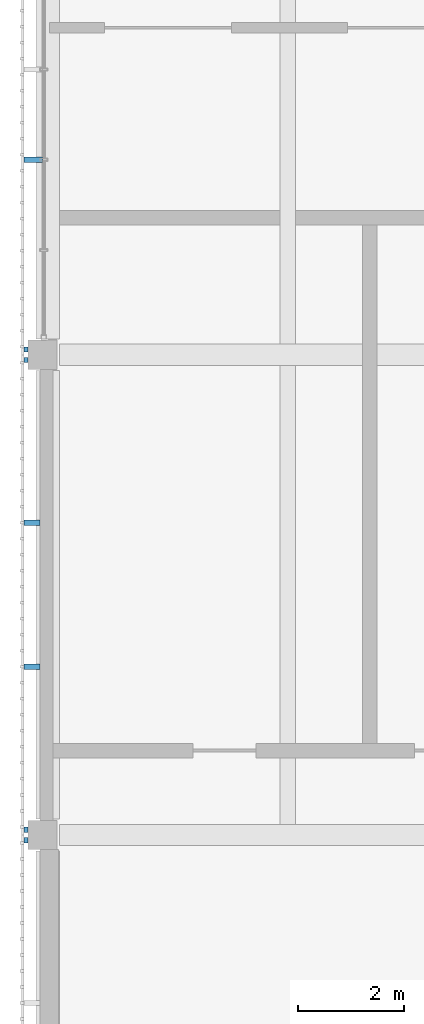
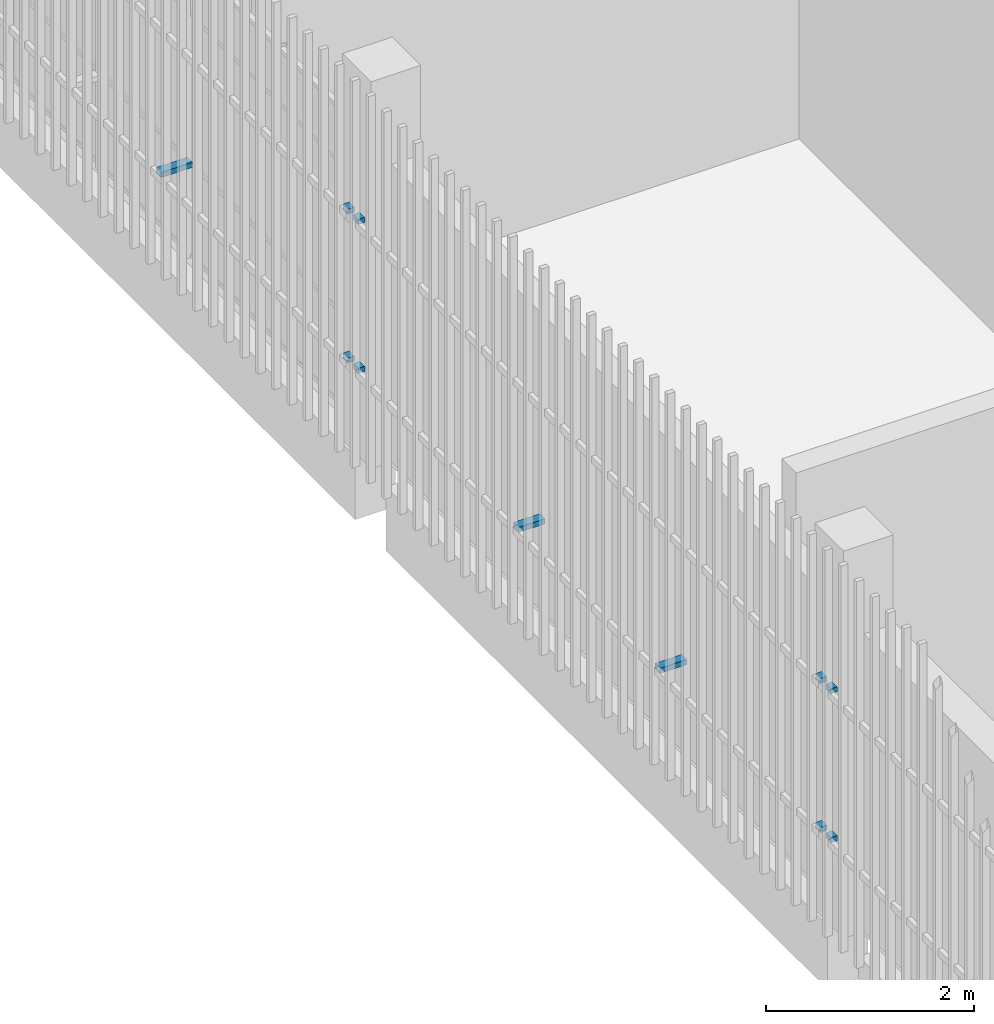
# One storey, part 88 of 124: 11 discrete accessories.
"""IFC4 building model written with IfcOpenShell, lengths in metres."""

from ifc_helpers import new_model, si_unit, direction, frame, origin, origin_2d, place, context, subcontext, project, spatial, rectangle, extrude, material, type_object, element, save


model = new_model("IFC4")

# Units and contexts
model_context = context("Model", 3, precision=1e-05, world=origin(), true_north=direction((0.0, 1.0)))
body_context = subcontext(model_context, "Body", "Model", "MODEL_VIEW")
ifc_project = project(units=[si_unit("LENGTHUNIT", "METRE"), si_unit("AREAUNIT", "SQUARE_METRE"), si_unit("VOLUMEUNIT", "CUBIC_METRE"), si_unit("PLANEANGLEUNIT", "RADIAN"), si_unit("MASSUNIT", "GRAM", prefix="KILO")], contexts=[model_context])

# Site, building, storey
site_placement = place(None, origin())
site = spatial("IfcSite", under=ifc_project, at=site_placement, CompositionType="ELEMENT")
building_placement = place(site_placement, origin())
building = spatial("IfcBuilding", under=site, at=building_placement, Name="Shirokan Park Arena", CompositionType="ELEMENT")
storey_placement = place(building_placement, frame((0.0, 0.0, 20.02001953125)))
storey = spatial("IfcBuildingStorey", under=building, at=storey_placement, Name="L04", CompositionType="ELEMENT", Elevation=20.02001953125)

# Discrete accessories
ifc_material = material(Name="Steel S355", Category="steel")
discrete_accessory_type = type_object("IfcDiscreteAccessoryType", Name="Veil bracket 100x60", PredefinedType="BRACKET", material=ifc_material)
for number, where, z_axis, x_axis, name in (
    (1, (-0.409912109375, 27.39990234375, 1.070068359375), (0.0, 0.0, 1.0), (0.0, -1.0, 0.0), "Veil bracket west bay 9 L04 2"),
    (2, (-0.409912109375, 27.39990234375, 2.820068359375), (0.0, 0.0, 1.0), (0.0, -1.0, 0.0), "Veil bracket west bay 9 L04 4"),
):
    element("IfcDiscreteAccessory", number, at=place(storey_placement, frame(where, z_axis=z_axis, x_axis=x_axis)), inside=storey, type_object=discrete_accessory_type, Name=name, PredefinedType="BRACKET", context=body_context, shape_type="SweptSolid", body=[
        extrude(rectangle(XDim=0.10009765625, YDim=0.070068359375, at=origin_2d()), origin(), (0.0, 0.0, 1.0), 0.06005859375),
    ])
discrete_accessory_placement = place(storey_placement, frame((-0.2724609375, 30.9951171875, 1.070068359375), z_axis=(0.0, 0.0, 1.0), x_axis=(0.0, -1.0, 0.0)))
element("IfcDiscreteAccessory", 3, at=discrete_accessory_placement, inside=storey, type_object=discrete_accessory_type, Name="Veil bracket west bay 9 L04 wall 2", PredefinedType="BRACKET", context=body_context, shape_type="SweptSolid", body=[
    extrude(rectangle(XDim=0.10009765625, YDim=0.344970703125, at=origin_2d()), origin(), (0.0, 0.0, 1.0), 0.06005859375),
])
for number, where, z_axis, x_axis, name in (
    (4, (-0.409912109375, 27.199951171875, 1.070068359375), (0.0, 0.0, 1.0), (0.0, -1.0, 0.0), "Veil bracket west bay 10 L04 1"),
    (5, (-0.409912109375, 18.300048828125, 1.070068359375), (0.0, 0.0, 1.0), (0.0, -1.0, 0.0), "Veil bracket west bay 10 L04 2"),
    (6, (-0.409912109375, 27.199951171875, 2.820068359375), (0.0, 0.0, 1.0), (0.0, -1.0, 0.0), "Veil bracket west bay 10 L04 3"),
    (7, (-0.409912109375, 18.300048828125, 2.820068359375), (0.0, 0.0, 1.0), (0.0, -1.0, 0.0), "Veil bracket west bay 10 L04 4"),
):
    element("IfcDiscreteAccessory", number, at=place(storey_placement, frame(where, z_axis=z_axis, x_axis=x_axis)), inside=storey, type_object=discrete_accessory_type, Name=name, PredefinedType="BRACKET", context=body_context, shape_type="SweptSolid", body=[
        extrude(rectangle(XDim=0.10009765625, YDim=0.070068359375, at=origin_2d()), origin(), (0.0, 0.0, 1.0), 0.06005859375),
    ])
for number, where, z_axis, x_axis, name in (
    (8, (-0.297607421875, 24.114990234375, 1.070068359375), (0.0, 0.0, 1.0), (0.0, -1.0, 0.0), "Veil bracket west bay 10 L04 wall 1"),
    (9, (-0.297607421875, 21.385009765625, 1.070068359375), (0.0, 0.0, 1.0), (0.0, -1.0, 0.0), "Veil bracket west bay 10 L04 wall 2"),
):
    element("IfcDiscreteAccessory", number, at=place(storey_placement, frame(where, z_axis=z_axis, x_axis=x_axis)), inside=storey, type_object=discrete_accessory_type, Name=name, PredefinedType="BRACKET", context=body_context, shape_type="SweptSolid", body=[
        extrude(rectangle(XDim=0.10009765625, YDim=0.294921875, at=origin_2d()), origin(), (0.0, 0.0, 1.0), 0.06005859375),
    ])
for number, where, z_axis, x_axis, name in (
    (10, (-0.409912109375, 18.10009765625, 1.070068359375), (0.0, 0.0, 1.0), (0.0, -1.0, 0.0), "Veil bracket west bay 11 L04 1"),
    (11, (-0.409912109375, 18.10009765625, 2.820068359375), (0.0, 0.0, 1.0), (0.0, -1.0, 0.0), "Veil bracket west bay 11 L04 3"),
):
    element("IfcDiscreteAccessory", number, at=place(storey_placement, frame(where, z_axis=z_axis, x_axis=x_axis)), inside=storey, type_object=discrete_accessory_type, Name=name, PredefinedType="BRACKET", context=body_context, shape_type="SweptSolid", body=[
        extrude(rectangle(XDim=0.10009765625, YDim=0.070068359375, at=origin_2d()), origin(), (0.0, 0.0, 1.0), 0.06005859375),
    ])

save(model, "model.ifc")
